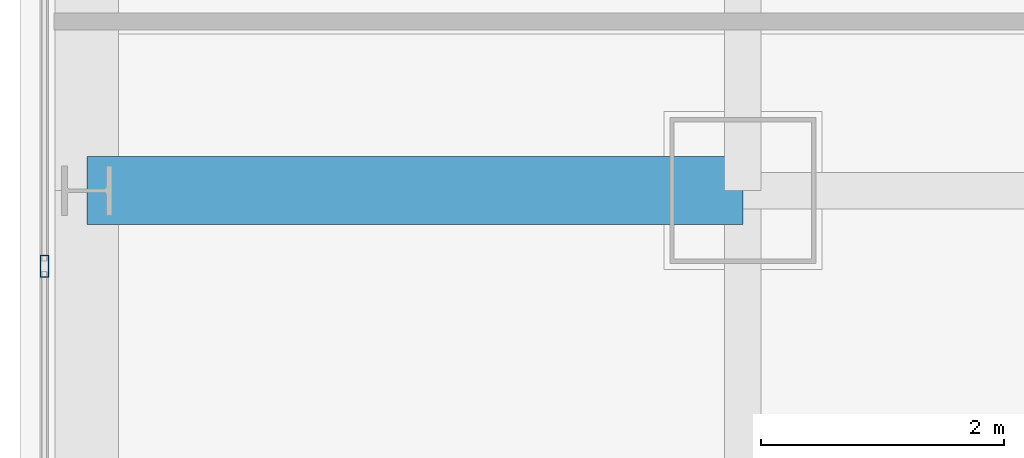
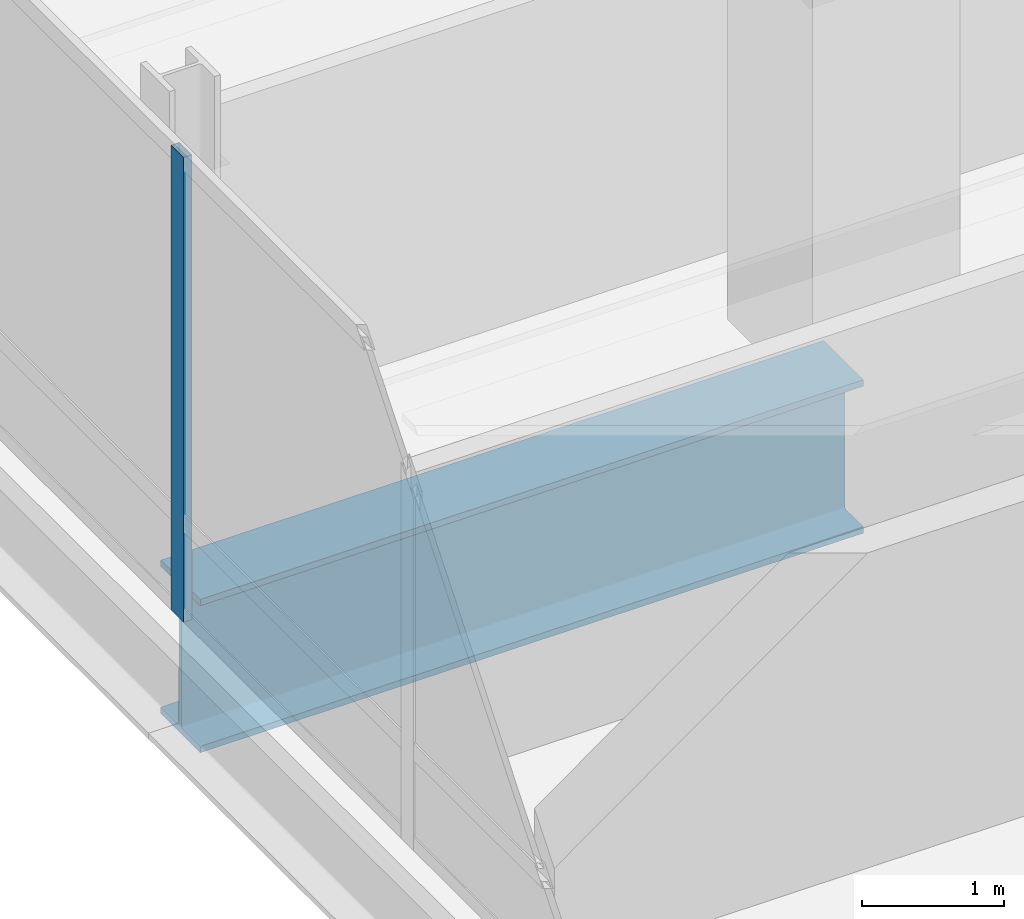
# One storey, part 10 of 42: 1 beam, 1 member, 1 element without a shape of its own.
"""IFC4 building model written with IfcOpenShell, lengths in metres."""

from ifc_helpers import new_model, si_unit, direction, frame, origin, origin_2d, place, context, subcontext, project, spatial, hollow_rectangle, i_section, extrude, material, material_profile, profile_set, type_object, element, aggregate, save


model = new_model("IFC4")

# Units and contexts
model_context = context("Model", 3, precision=1e-05, world=origin(), true_north=direction((0.0, 1.0)))
body_context = subcontext(model_context, "Body", "Model", "MODEL_VIEW")
ifc_project = project(units=[si_unit("LENGTHUNIT", "METRE"), si_unit("AREAUNIT", "SQUARE_METRE"), si_unit("VOLUMEUNIT", "CUBIC_METRE"), si_unit("PLANEANGLEUNIT", "RADIAN"), si_unit("MASSUNIT", "GRAM", prefix="KILO")], contexts=[model_context])

# Site, building, storey
site_placement = place(None, origin())
site = spatial("IfcSite", under=ifc_project, at=site_placement, CompositionType="ELEMENT")
building_placement = place(site_placement, origin())
building = spatial("IfcBuilding", under=site, at=building_placement, Name="Punatoya Terracotta Tower", CompositionType="ELEMENT")
storey_placement = place(building_placement, frame((0.0, 0.0, 325.800048828125)))
storey = spatial("IfcBuildingStorey", under=building, at=storey_placement, Name="L77", CompositionType="ELEMENT", Elevation=325.800048828125)

# Beam
ifc_material_1 = material(Name="Steel S460", Category="steel")
ifc_material_profile_1 = material_profile(ifc_material_1, i_section(OverallWidth=0.56005859375, OverallDepth=1.320068359375, WebThickness=0.035888671875, FlangeThickness=0.054931640625, FilletRadius=0.01806640625, at=origin_2d()))
ifc_profile_set_1 = profile_set([ifc_material_profile_1], Name="Steel S460")
beam_type = type_object("IfcBeamType", Name="BM-TG-BLK", PredefinedType="BEAM", material=ifc_profile_set_1)
beam_placement = place(storey_placement, frame((-24.5, -3.39990234375, -0.860107421875), z_axis=(1.0, 0.0, 0.0), x_axis=(0.0, 1.0, 0.0)))
element("IfcBeam", 1, at=beam_placement, inside=storey, type_object=beam_type, Name="BM-L77-CANT-W2", PredefinedType="BEAM", context=body_context, shape_type="SweptSolid", body=[
    extrude(i_section(OverallWidth=0.56005859375, OverallDepth=1.320068359375, WebThickness=0.035888671875, FlangeThickness=0.054931640625, FilletRadius=0.01806640625, at=origin_2d()), origin(), (0.0, 0.0, 1.0), 5.39990234375),
])

# Curtain wall, member
ifc_material_2 = material(Name="Aluminium 6063-T6 + Double Low-E Glass", Category="aluminium")
curtain_wall_type = type_object("IfcCurtainWallType", Name="CW-OBS", PredefinedType="NOTDEFINED", material=ifc_material_2)
curtain_wall_placement = place(storey_placement, origin())
curtain_wall = element("IfcCurtainWall", 2, at=curtain_wall_placement, inside=storey, type_object=curtain_wall_type, Name="L77 Curtain Wall CW-L77-W13-1", PredefinedType="NOTDEFINED")
ifc_material_3 = material(Name="Aluminium 6063-T6", Category="aluminium")
ifc_material_profile_2 = material_profile(ifc_material_3, hollow_rectangle(XDim=0.070068359375, YDim=0.179931640625, WallThickness=0.00390625, at=origin_2d()))
ifc_profile_set_2 = profile_set([ifc_material_profile_2], Name="Aluminium 6063-T6")
member_type = type_object("IfcMemberType", Name="CW-MUL-M3", PredefinedType="MULLION", material=ifc_profile_set_2)
member_placement = place(storey_placement, frame((-24.85009765625, -4.021484375, 0.0), z_axis=(0.0, 0.0, 1.0), x_axis=(1.0, 0.0, 0.0)))
member = element("IfcMember", 3, at=member_placement, type_object=member_type, Name="CW-L77-W13-1 Mullion 06", PredefinedType="MULLION", context=body_context, shape_type="SweptSolid", body=[
    extrude(hollow_rectangle(XDim=0.070068359375, YDim=0.179931640625, WallThickness=0.00390625, at=origin_2d()), origin(), (0.0, 0.0, 1.0), 4.0),
])
aggregate(curtain_wall, [member])

save(model, "model.ifc")
